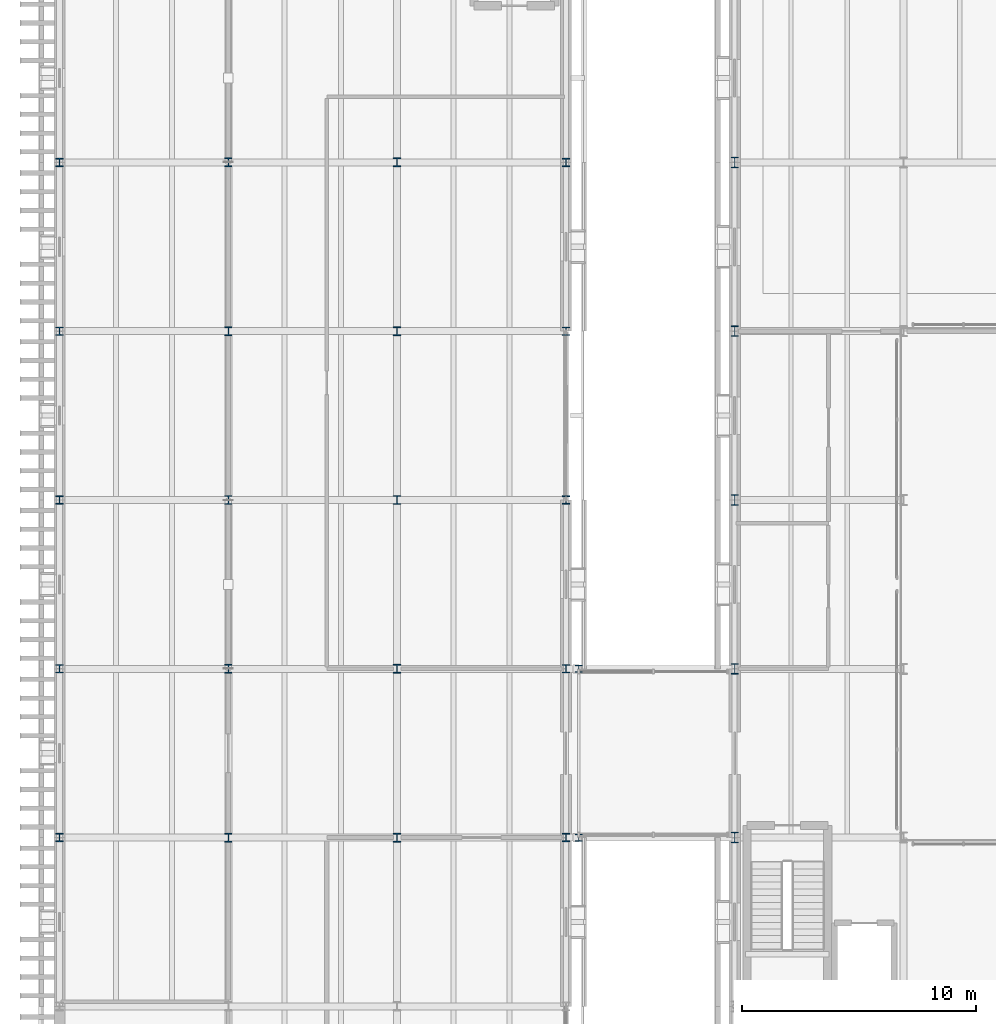
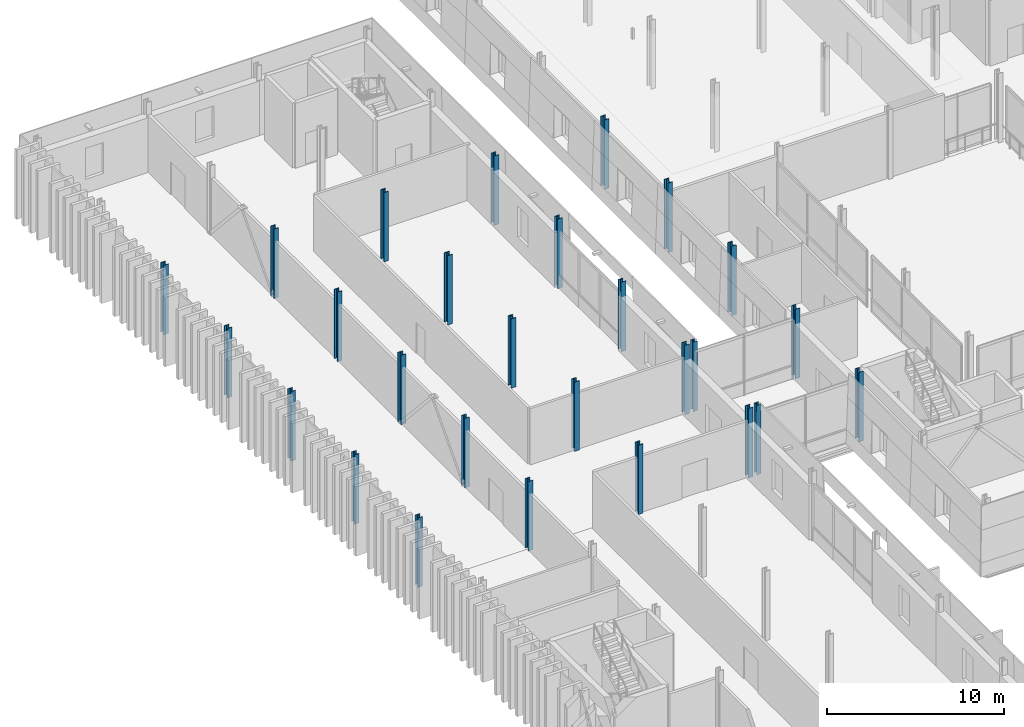
# One storey, part 8 of 121: 27 columns.
"""IFC4 building model written with IfcOpenShell, lengths in metres."""

from ifc_helpers import new_model, si_unit, direction, frame, origin, origin_2d, place, context, subcontext, project, spatial, i_section, extrude, material, material_profile, profile_set, type_object, element, save


model = new_model("IFC4")

# Units and contexts
model_context = context("Model", 3, precision=1e-05, world=origin(), true_north=direction((0.0, 1.0)))
body_context = subcontext(model_context, "Body", "Model", "MODEL_VIEW")
ifc_project = project(units=[si_unit("LENGTHUNIT", "METRE"), si_unit("AREAUNIT", "SQUARE_METRE"), si_unit("VOLUMEUNIT", "CUBIC_METRE"), si_unit("PLANEANGLEUNIT", "RADIAN"), si_unit("MASSUNIT", "GRAM", prefix="KILO")], contexts=[model_context])

# Site, building, storey
site_placement = place(None, origin())
site = spatial("IfcSite", under=ifc_project, at=site_placement, CompositionType="ELEMENT")
building_placement = place(site_placement, origin())
building = spatial("IfcBuilding", under=site, at=building_placement, Name="Narikvali Park Central Library", CompositionType="ELEMENT")
storey_placement = place(building_placement, frame((0.0, 0.0, 5.39990234375)))
storey = spatial("IfcBuildingStorey", under=building, at=storey_placement, Name="L01", CompositionType="ELEMENT", Elevation=5.39990234375)

# Columns
ifc_material = material(Name="Steel S355", Category="steel")
ifc_material_profile_1 = material_profile(ifc_material, i_section(OverallWidth=0.30908203125, OverallDepth=0.376953125, WebThickness=0.02099609375, FlangeThickness=0.035888671875, FilletRadius=0.027099609375, at=origin_2d()), Name="HEM 340")
ifc_profile_set_1 = profile_set([ifc_material_profile_1], Name="Steel S355")
column_type_1 = type_object("IfcColumnType", Name="Stack Interior Column HEM340", PredefinedType="COLUMN", material=ifc_profile_set_1)
for number, where, z_axis, x_axis, name in (
    (1, (7.199951171875, 64.800048828125, 0.0), (0.0, 0.0, 1.0), (1.0, 0.0, 0.0), "V5 L01 Column (7.2,64.8)"),
    (2, (7.199951171875, 72.0, 0.0), (0.0, 0.0, 1.0), (1.0, 0.0, 0.0), "V5 L01 Column (7.2,72.0)"),
    (3, (7.199951171875, 79.199951171875, 0.0), (0.0, 0.0, 1.0), (1.0, 0.0, 0.0), "V5 L01 Column (7.2,79.2)"),
    (4, (7.199951171875, 86.39990234375, 0.0), (0.0, 0.0, 1.0), (1.0, 0.0, 0.0), "V5 L01 Column (7.2,86.4)"),
    (5, (7.199951171875, 93.60009765625, 0.0), (0.0, 0.0, 1.0), (1.0, 0.0, 0.0), "V5 L01 Column (7.2,93.6)"),
    (6, (14.39990234375, 64.800048828125, 0.0), (0.0, 0.0, 1.0), (1.0, 0.0, 0.0), "V5 L01 Column (14.4,64.8)"),
    (7, (14.39990234375, 72.0, 0.0), (0.0, 0.0, 1.0), (1.0, 0.0, 0.0), "V5 L01 Column (14.4,72.0)"),
    (8, (14.39990234375, 79.199951171875, 0.0), (0.0, 0.0, 1.0), (1.0, 0.0, 0.0), "V5 L01 Column (14.4,79.2)"),
    (9, (14.39990234375, 86.39990234375, 0.0), (0.0, 0.0, 1.0), (1.0, 0.0, 0.0), "V5 L01 Column (14.4,86.4)"),
    (10, (14.39990234375, 93.60009765625, 0.0), (0.0, 0.0, 1.0), (1.0, 0.0, 0.0), "V5 L01 Column (14.4,93.6)"),
):
    element("IfcColumn", number, at=place(storey_placement, frame(where, z_axis=z_axis, x_axis=x_axis)), inside=storey, type_object=column_type_1, Name=name, PredefinedType="COLUMN", context=body_context, shape_type="SweptSolid", body=[
        extrude(i_section(OverallWidth=0.30908203125, OverallDepth=0.376953125, WebThickness=0.02099609375, FlangeThickness=0.035888671875, FilletRadius=0.027099609375, at=origin_2d()), origin(), (0.0, 0.0, 1.0), 4.800048828125),
    ])
ifc_material_profile_2 = material_profile(ifc_material, i_section(OverallWidth=0.300048828125, OverallDepth=0.300048828125, WebThickness=0.010986328125, FlangeThickness=0.01904296875, FilletRadius=0.027099609375, at=origin_2d()), Name="HEB 300")
ifc_profile_set_2 = profile_set([ifc_material_profile_2], Name="Steel S355")
column_type_2 = type_object("IfcColumnType", Name="Steel Column HEB300", PredefinedType="COLUMN", material=ifc_profile_set_2)
for number, where, z_axis, x_axis, name in (
    (11, (22.14990234375, 64.800048828125, 0.0), (0.0, 0.0, 1.0), (1.0, 0.0, 0.0), "BRG-1 Bridge Pier L01"),
    (12, (22.14990234375, 72.0, 0.0), (0.0, 0.0, 1.0), (1.0, 0.0, 0.0), "BRG-1 Bridge Pier L01"),
):
    element("IfcColumn", number, at=place(storey_placement, frame(where, z_axis=z_axis, x_axis=x_axis)), inside=storey, type_object=column_type_2, Name=name, PredefinedType="COLUMN", context=body_context, shape_type="SweptSolid", body=[
        extrude(i_section(OverallWidth=0.300048828125, OverallDepth=0.300048828125, WebThickness=0.010986328125, FlangeThickness=0.01904296875, FilletRadius=0.027099609375, at=origin_2d()), origin(), (0.0, 0.0, 1.0), 4.800048828125),
    ])
ifc_material_profile_3 = material_profile(ifc_material, i_section(OverallWidth=0.300048828125, OverallDepth=0.449951171875, WebThickness=0.013916015625, FlangeThickness=0.02587890625, FilletRadius=0.027099609375, at=origin_2d()), Name="HEB 450")
ifc_profile_set_3 = profile_set([ifc_material_profile_3], Name="Steel S355")
column_type_3 = type_object("IfcColumnType", Name="Steel Column HEB450", PredefinedType="COLUMN", material=ifc_profile_set_3)
for number, where, z_axis, x_axis, name in (
    (13, (28.800048828125, 64.800048828125, 0.0), (0.0, 0.0, 1.0), (1.0, 0.0, 0.0), "V4 L01 Column (28.8,64.8)"),
    (14, (28.800048828125, 72.0, 0.0), (0.0, 0.0, 1.0), (1.0, 0.0, 0.0), "V4 L01 Column (28.8,72.0)"),
    (15, (28.800048828125, 79.199951171875, 0.0), (0.0, 0.0, 1.0), (1.0, 0.0, 0.0), "V4 L01 Column (28.8,79.2)"),
    (16, (28.800048828125, 86.39990234375, 0.0), (0.0, 0.0, 1.0), (1.0, 0.0, 0.0), "V4 L01 Column (28.8,86.4)"),
    (17, (28.800048828125, 93.60009765625, 0.0), (0.0, 0.0, 1.0), (1.0, 0.0, 0.0), "V4 L01 Column (28.8,93.6)"),
):
    element("IfcColumn", number, at=place(storey_placement, frame(where, z_axis=z_axis, x_axis=x_axis)), inside=storey, type_object=column_type_3, Name=name, PredefinedType="COLUMN", context=body_context, shape_type="SweptSolid", body=[
        extrude(i_section(OverallWidth=0.300048828125, OverallDepth=0.449951171875, WebThickness=0.013916015625, FlangeThickness=0.02587890625, FilletRadius=0.027099609375, at=origin_2d()), origin(), (0.0, 0.0, 1.0), 4.800048828125),
    ])
ifc_material_profile_4 = material_profile(ifc_material, i_section(OverallWidth=0.30908203125, OverallDepth=0.35888671875, WebThickness=0.02099609375, FlangeThickness=0.034912109375, FilletRadius=0.027099609375, at=origin_2d()), Name="HEM 320")
ifc_profile_set_4 = profile_set([ifc_material_profile_4], Name="Steel S355")
column_type_4 = type_object("IfcColumnType", Name="Steel Column HEM320", PredefinedType="COLUMN", material=ifc_profile_set_4)
for number, where, z_axis, x_axis, name in (
    (18, (0.0, 64.800048828125, 0.0), (0.0, 0.0, 1.0), (1.0, 0.0, 0.0), "V5 L01 Column (0.0,64.8)"),
    (19, (0.0, 72.0, 0.0), (0.0, 0.0, 1.0), (1.0, 0.0, 0.0), "V5 L01 Column (0.0,72.0)"),
    (20, (0.0, 79.199951171875, 0.0), (0.0, 0.0, 1.0), (1.0, 0.0, 0.0), "V5 L01 Column (0.0,79.2)"),
    (21, (0.0, 86.39990234375, 0.0), (0.0, 0.0, 1.0), (1.0, 0.0, 0.0), "V5 L01 Column (0.0,86.4)"),
    (22, (0.0, 93.60009765625, 0.0), (0.0, 0.0, 1.0), (1.0, 0.0, 0.0), "V5 L01 Column (0.0,93.6)"),
    (23, (21.60009765625, 64.800048828125, 0.0), (0.0, 0.0, 1.0), (1.0, 0.0, 0.0), "V5 L01 Column (21.6,64.8)"),
    (24, (21.60009765625, 72.0, 0.0), (0.0, 0.0, 1.0), (1.0, 0.0, 0.0), "V5 L01 Column (21.6,72.0)"),
    (25, (21.60009765625, 79.199951171875, 0.0), (0.0, 0.0, 1.0), (1.0, 0.0, 0.0), "V5 L01 Column (21.6,79.2)"),
    (26, (21.60009765625, 86.39990234375, 0.0), (0.0, 0.0, 1.0), (1.0, 0.0, 0.0), "V5 L01 Column (21.6,86.4)"),
    (27, (21.60009765625, 93.60009765625, 0.0), (0.0, 0.0, 1.0), (1.0, 0.0, 0.0), "V5 L01 Column (21.6,93.6)"),
):
    element("IfcColumn", number, at=place(storey_placement, frame(where, z_axis=z_axis, x_axis=x_axis)), inside=storey, type_object=column_type_4, Name=name, PredefinedType="COLUMN", context=body_context, shape_type="SweptSolid", body=[
        extrude(i_section(OverallWidth=0.30908203125, OverallDepth=0.35888671875, WebThickness=0.02099609375, FlangeThickness=0.034912109375, FilletRadius=0.027099609375, at=origin_2d()), origin(), (0.0, 0.0, 1.0), 4.800048828125),
    ])

save(model, "model.ifc")
